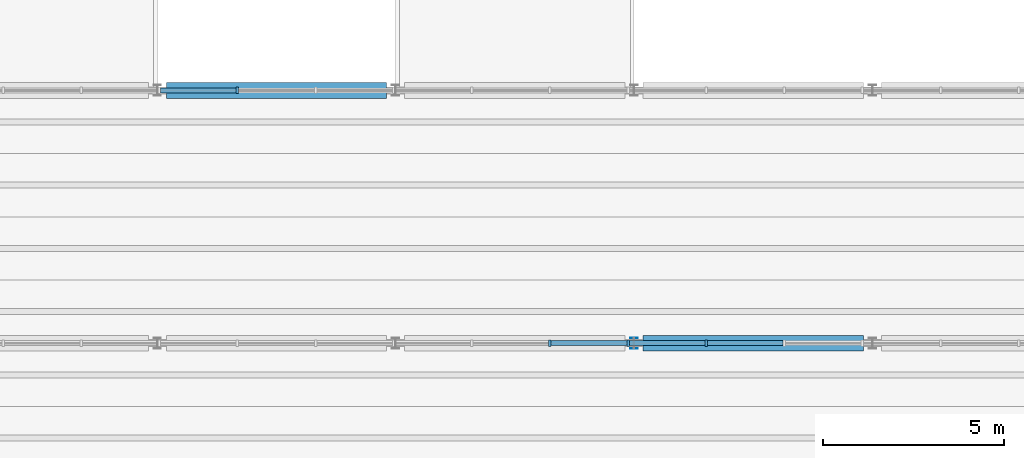
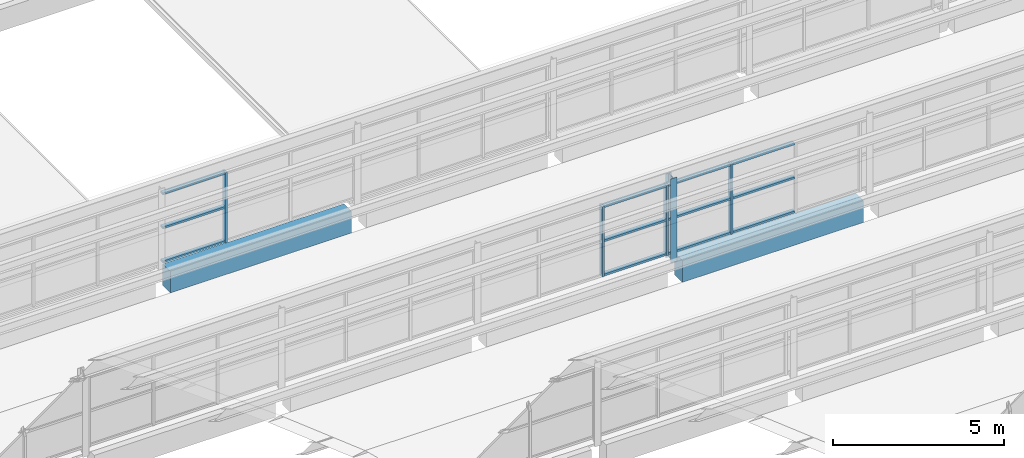
# One storey, part 31 of 92: 17 members, 2 beams, 2 elements without a shape of their own.
"""IFC4 building model written with IfcOpenShell, lengths in metres."""

from ifc_helpers import new_model, si_unit, direction, frame, origin, origin_2d, place, context, subcontext, project, spatial, rectangle, i_section, extrude, material, material_profile, profile_set, type_object, element, aggregate, save


model = new_model("IFC4")

# Units and contexts
model_context = context("Model", 3, precision=1e-05, world=origin(), true_north=direction((0.0, 1.0)))
body_context = subcontext(model_context, "Body", "Model", "MODEL_VIEW")
ifc_project = project(units=[si_unit("LENGTHUNIT", "METRE"), si_unit("AREAUNIT", "SQUARE_METRE"), si_unit("VOLUMEUNIT", "CUBIC_METRE"), si_unit("PLANEANGLEUNIT", "RADIAN"), si_unit("MASSUNIT", "GRAM", prefix="KILO")], contexts=[model_context])

# Site, building, storey
site_placement = place(None, origin())
site = spatial("IfcSite", under=ifc_project, at=site_placement, CompositionType="ELEMENT")
building_placement = place(site_placement, origin())
building = spatial("IfcBuilding", under=site, at=building_placement, Name="Ciguamira Faculty of Natural Sciences", CompositionType="ELEMENT")
storey_placement = place(building_placement, frame((0.0, 0.0, 16.800048828125)))
storey = spatial("IfcBuildingStorey", under=building, at=storey_placement, Name="L04", CompositionType="ELEMENT", Elevation=16.800048828125)

# Curtain wall, members
ifc_material_1 = material(Name="Anodized aluminium curtain wall", Category="aluminium")
curtain_wall_type_1 = type_object("IfcCurtainWallType", Name="CurtainWall_CW-03", PredefinedType="USERDEFINED", material=ifc_material_1)
curtain_wall_1_placement = place(storey_placement, origin())
curtain_wall_1 = element("IfcCurtainWall", 1, at=curtain_wall_1_placement, inside=storey, type_object=curtain_wall_type_1, Name="V4 north-light wave 2 clerestory glazing 1", ObjectType="UNITISED CURTAIN WALL", PredefinedType="USERDEFINED")
ifc_material_2 = material(Name="Anodized aluminium mullion", Category="aluminium")
ifc_material_profile_1 = material_profile(ifc_material_2, rectangle(XDim=0.070068359375, YDim=0.179931640625, at=origin_2d()), Name="ALU-MUL-70X180")
ifc_profile_set_1 = profile_set([ifc_material_profile_1], Name="Anodized aluminium mullion")
member_type_1 = type_object("IfcMemberType", Name="CWMullion_CWM-02", PredefinedType="MULLION", material=ifc_profile_set_1)
member_1_placement = place(storey_placement, frame((94.5703125, 52.0, 0.25), z_axis=(0.0, 0.0, 1.0), x_axis=(1.0, 0.0, 0.0)))
member_1 = element("IfcMember", 2, at=member_1_placement, type_object=member_type_1, Name="CW-03 mullion 18", PredefinedType="MULLION", context=body_context, shape_type="SweptSolid", body=[
    extrude(rectangle(XDim=0.070068359375, YDim=0.179931640625, at=origin_2d()), origin(), (0.0, 0.0, 1.0), 2.5),
])
member_2_placement = place(storey_placement, frame((96.7333984375, 52.0, 0.25), z_axis=(0.0, 0.0, 1.0), x_axis=(1.0, 0.0, 0.0)))
member_2 = element("IfcMember", 3, at=member_2_placement, type_object=member_type_1, Name="CW-03 mullion 19", PredefinedType="MULLION", context=body_context, shape_type="SweptSolid", body=[
    extrude(rectangle(XDim=0.070068359375, YDim=0.179931640625, at=origin_2d()), origin(), (0.0, 0.0, 1.0), 2.5),
])
member_3_placement = place(storey_placement, frame((98.896240234375, 52.0, 0.25), z_axis=(0.0, 0.0, 1.0), x_axis=(1.0, 0.0, 0.0)))
member_3 = element("IfcMember", 4, at=member_3_placement, type_object=member_type_1, Name="CW-03 mullion 20", PredefinedType="MULLION", context=body_context, shape_type="SweptSolid", body=[
    extrude(rectangle(XDim=0.070068359375, YDim=0.179931640625, at=origin_2d()), origin(), (0.0, 0.0, 1.0), 2.5),
])

# Curtain wall, member
curtain_wall_type_2 = type_object("IfcCurtainWallType", Name="CurtainWall_CW-04", PredefinedType="USERDEFINED", material=ifc_material_1)
curtain_wall_2_placement = place(storey_placement, origin())
curtain_wall_2 = element("IfcCurtainWall", 5, at=curtain_wall_2_placement, inside=storey, type_object=curtain_wall_type_2, Name="V4 north-light wave 3 clerestory glazing 1", ObjectType="UNITISED CURTAIN WALL", PredefinedType="USERDEFINED")
member_4_placement = place(storey_placement, frame((85.91845703125, 59.0, 0.25), z_axis=(0.0, 0.0, 1.0), x_axis=(1.0, 0.0, 0.0)))
member_4 = element("IfcMember", 6, at=member_4_placement, type_object=member_type_1, Name="CW-04 mullion 14", PredefinedType="MULLION", context=body_context, shape_type="SweptSolid", body=[
    extrude(rectangle(XDim=0.070068359375, YDim=0.179931640625, at=origin_2d()), origin(), (0.0, 0.0, 1.0), 2.5),
])

# Member
ifc_material_3 = material(Name="Anodized aluminium transom", Category="aluminium")
ifc_material_profile_2 = material_profile(ifc_material_3, rectangle(XDim=0.070068359375, YDim=0.139892578125, at=origin_2d()), Name="ALU-TRN-70X140")
ifc_profile_set_2 = profile_set([ifc_material_profile_2], Name="Anodized aluminium transom")
member_type_2 = type_object("IfcMemberType", Name="CWTransom_CWT-02", PredefinedType="USERDEFINED", material=ifc_profile_set_2)
member_5_placement = place(storey_placement, frame((94.60546875, 52.0, 0.284912109375), z_axis=(1.0, 0.0, 0.0), x_axis=(0.0, 0.0, 1.0)))
member_5 = element("IfcMember", 7, at=member_5_placement, type_object=member_type_2, Name="CW-03 transom 18.1", ObjectType="TRANSOM", PredefinedType="USERDEFINED", context=body_context, shape_type="SweptSolid", body=[
    extrude(rectangle(XDim=0.070068359375, YDim=0.139892578125, at=origin_2d()), origin(), (0.0, 0.0, 1.0), 2.0927734375),
])

member_6_placement = place(storey_placement, frame((94.60546875, 52.0, 1.5), z_axis=(1.0, 0.0, 0.0), x_axis=(0.0, 0.0, 1.0)))
member_6 = element("IfcMember", 8, at=member_6_placement, type_object=member_type_2, Name="CW-03 transom 18.2", ObjectType="TRANSOM", PredefinedType="USERDEFINED", context=body_context, shape_type="SweptSolid", body=[
    extrude(rectangle(XDim=0.070068359375, YDim=0.139892578125, at=origin_2d()), origin(), (0.0, 0.0, 1.0), 2.0927734375),
])

member_7_placement = place(storey_placement, frame((94.60546875, 52.0, 2.71484375), z_axis=(1.0, 0.0, 0.0), x_axis=(0.0, 0.0, 1.0)))
member_7 = element("IfcMember", 9, at=member_7_placement, type_object=member_type_2, Name="CW-03 transom 18.3", ObjectType="TRANSOM", PredefinedType="USERDEFINED", context=body_context, shape_type="SweptSolid", body=[
    extrude(rectangle(XDim=0.070068359375, YDim=0.139892578125, at=origin_2d()), origin(), (0.0, 0.0, 1.0), 2.0927734375),
])

member_8_placement = place(storey_placement, frame((96.768310546875, 52.0, 0.284912109375), z_axis=(1.0, 0.0, 0.0), x_axis=(0.0, 0.0, 1.0)))
member_8 = element("IfcMember", 10, at=member_8_placement, type_object=member_type_2, Name="CW-03 transom 19.1", ObjectType="TRANSOM", PredefinedType="USERDEFINED", context=body_context, shape_type="SweptSolid", body=[
    extrude(rectangle(XDim=0.070068359375, YDim=0.139892578125, at=origin_2d()), origin(), (0.0, 0.0, 1.0), 2.093017578125),
])

member_9_placement = place(storey_placement, frame((96.768310546875, 52.0, 1.5), z_axis=(1.0, 0.0, 0.0), x_axis=(0.0, 0.0, 1.0)))
member_9 = element("IfcMember", 11, at=member_9_placement, type_object=member_type_2, Name="CW-03 transom 19.2", ObjectType="TRANSOM", PredefinedType="USERDEFINED", context=body_context, shape_type="SweptSolid", body=[
    extrude(rectangle(XDim=0.070068359375, YDim=0.139892578125, at=origin_2d()), origin(), (0.0, 0.0, 1.0), 2.093017578125),
])

member_10_placement = place(storey_placement, frame((96.768310546875, 52.0, 2.71484375), z_axis=(1.0, 0.0, 0.0), x_axis=(0.0, 0.0, 1.0)))
member_10 = element("IfcMember", 12, at=member_10_placement, type_object=member_type_2, Name="CW-03 transom 19.3", ObjectType="TRANSOM", PredefinedType="USERDEFINED", context=body_context, shape_type="SweptSolid", body=[
    extrude(rectangle(XDim=0.070068359375, YDim=0.139892578125, at=origin_2d()), origin(), (0.0, 0.0, 1.0), 2.093017578125),
])

member_11_placement = place(storey_placement, frame((98.931396484375, 52.0, 0.284912109375), z_axis=(1.0, 0.0, 0.0), x_axis=(0.0, 0.0, 1.0)))
member_11 = element("IfcMember", 13, at=member_11_placement, type_object=member_type_2, Name="CW-03 transom 20.1", ObjectType="TRANSOM", PredefinedType="USERDEFINED", context=body_context, shape_type="SweptSolid", body=[
    extrude(rectangle(XDim=0.070068359375, YDim=0.139892578125, at=origin_2d()), origin(), (0.0, 0.0, 1.0), 2.0927734375),
])

member_12_placement = place(storey_placement, frame((98.931396484375, 52.0, 1.5), z_axis=(1.0, 0.0, 0.0), x_axis=(0.0, 0.0, 1.0)))
member_12 = element("IfcMember", 14, at=member_12_placement, type_object=member_type_2, Name="CW-03 transom 20.2", ObjectType="TRANSOM", PredefinedType="USERDEFINED", context=body_context, shape_type="SweptSolid", body=[
    extrude(rectangle(XDim=0.070068359375, YDim=0.139892578125, at=origin_2d()), origin(), (0.0, 0.0, 1.0), 2.0927734375),
])

member_13_placement = place(storey_placement, frame((98.931396484375, 52.0, 2.71484375), z_axis=(1.0, 0.0, 0.0), x_axis=(0.0, 0.0, 1.0)))
member_13 = element("IfcMember", 15, at=member_13_placement, type_object=member_type_2, Name="CW-03 transom 20.3", ObjectType="TRANSOM", PredefinedType="USERDEFINED", context=body_context, shape_type="SweptSolid", body=[
    extrude(rectangle(XDim=0.070068359375, YDim=0.139892578125, at=origin_2d()), origin(), (0.0, 0.0, 1.0), 2.0927734375),
])

aggregate(curtain_wall_1, [member_1, member_2, member_3, member_5, member_6, member_7, member_8, member_9, member_10, member_11, member_12, member_13])

member_14_placement = place(storey_placement, frame((83.79052734375, 59.0, 0.284912109375), z_axis=(1.0, 0.0, 0.0), x_axis=(0.0, 0.0, 1.0)))
member_14 = element("IfcMember", 16, at=member_14_placement, type_object=member_type_2, Name="CW-04 transom 13.1", ObjectType="TRANSOM", PredefinedType="USERDEFINED", context=body_context, shape_type="SweptSolid", body=[
    extrude(rectangle(XDim=0.070068359375, YDim=0.139892578125, at=origin_2d()), origin(), (0.0, 0.0, 1.0), 2.093017578125),
])

member_15_placement = place(storey_placement, frame((83.79052734375, 59.0, 1.5), z_axis=(1.0, 0.0, 0.0), x_axis=(0.0, 0.0, 1.0)))
member_15 = element("IfcMember", 17, at=member_15_placement, type_object=member_type_2, Name="CW-04 transom 13.2", ObjectType="TRANSOM", PredefinedType="USERDEFINED", context=body_context, shape_type="SweptSolid", body=[
    extrude(rectangle(XDim=0.070068359375, YDim=0.139892578125, at=origin_2d()), origin(), (0.0, 0.0, 1.0), 2.093017578125),
])

member_16_placement = place(storey_placement, frame((83.79052734375, 59.0, 2.71484375), z_axis=(1.0, 0.0, 0.0), x_axis=(0.0, 0.0, 1.0)))
member_16 = element("IfcMember", 18, at=member_16_placement, type_object=member_type_2, Name="CW-04 transom 13.3", ObjectType="TRANSOM", PredefinedType="USERDEFINED", context=body_context, shape_type="SweptSolid", body=[
    extrude(rectangle(XDim=0.070068359375, YDim=0.139892578125, at=origin_2d()), origin(), (0.0, 0.0, 1.0), 2.093017578125),
])

aggregate(curtain_wall_2, [member_4, member_14, member_15, member_16])

# Beams
ifc_material_4 = material(Name="Concrete C40/50", Category="concrete")
ifc_material_profile_3 = material_profile(ifc_material_4, rectangle(XDim=0.43994140625, YDim=0.780029296875, at=origin_2d()), Name="RC-BM-440X780")
ifc_profile_set_3 = profile_set([ifc_material_profile_3], Name="Concrete C40/50")
beam_type = type_object("IfcBeamType", Name="RCBeam_BG-06_RC-BM-440X780", PredefinedType="BEAM", material=ifc_profile_set_3)
for number, where, z_axis, x_axis, name in (
    (19, (97.14990234375, 52.0, -0.39013671875), (1.0, 0.0, 0.0), (0.0, 1.0, 0.0), "V4 north-light wave 2 RC valley beam NVL-1-7"),
    (20, (83.949951171875, 59.0, -0.39013671875), (1.0, 0.0, 0.0), (0.0, 1.0, 0.0), "V4 north-light wave 3 RC valley beam NVL-1-5"),
):
    element("IfcBeam", number, at=place(storey_placement, frame(where, z_axis=z_axis, x_axis=x_axis)), inside=storey, type_object=beam_type, Name=name, PredefinedType="BEAM", context=body_context, shape_type="SweptSolid", body=[
        extrude(rectangle(XDim=0.43994140625, YDim=0.780029296875, at=origin_2d()), origin(), (0.0, 0.0, 1.0), 6.10009765625),
    ])

# Member
ifc_material_5 = material(Name="Steel ASTM A992 Grade 50", Category="steel")
ifc_material_profile_4 = material_profile(ifc_material_5, i_section(OverallWidth=0.20458984375, OverallDepth=0.307373046875, WebThickness=0.008544921875, FlangeThickness=0.0146484375, at=origin_2d()), Name="W12X45")
ifc_profile_set_4 = profile_set([ifc_material_profile_4], Name="Steel ASTM A992 Grade 50")
member_type_3 = type_object("IfcMemberType", Name="SteelMember_TS-01_W12X45", PredefinedType="STRUT", material=ifc_profile_set_4)
member_17_placement = place(storey_placement, frame((96.89990234375, 52.0, 0.0), z_axis=(0.0, 0.0, 1.0), x_axis=(1.0, 0.0, 0.0)))
element("IfcMember", 21, at=member_17_placement, inside=storey, type_object=member_type_3, Name="V4 north-light wave 2 clerestory post 97", PredefinedType="STRUT", context=body_context, shape_type="SweptSolid", body=[
    extrude(i_section(OverallWidth=0.20458984375, OverallDepth=0.307373046875, WebThickness=0.008544921875, FlangeThickness=0.0146484375, at=origin_2d()), origin(), (0.0, 0.0, 1.0), 2.986328125),
])

save(model, "model.ifc")
